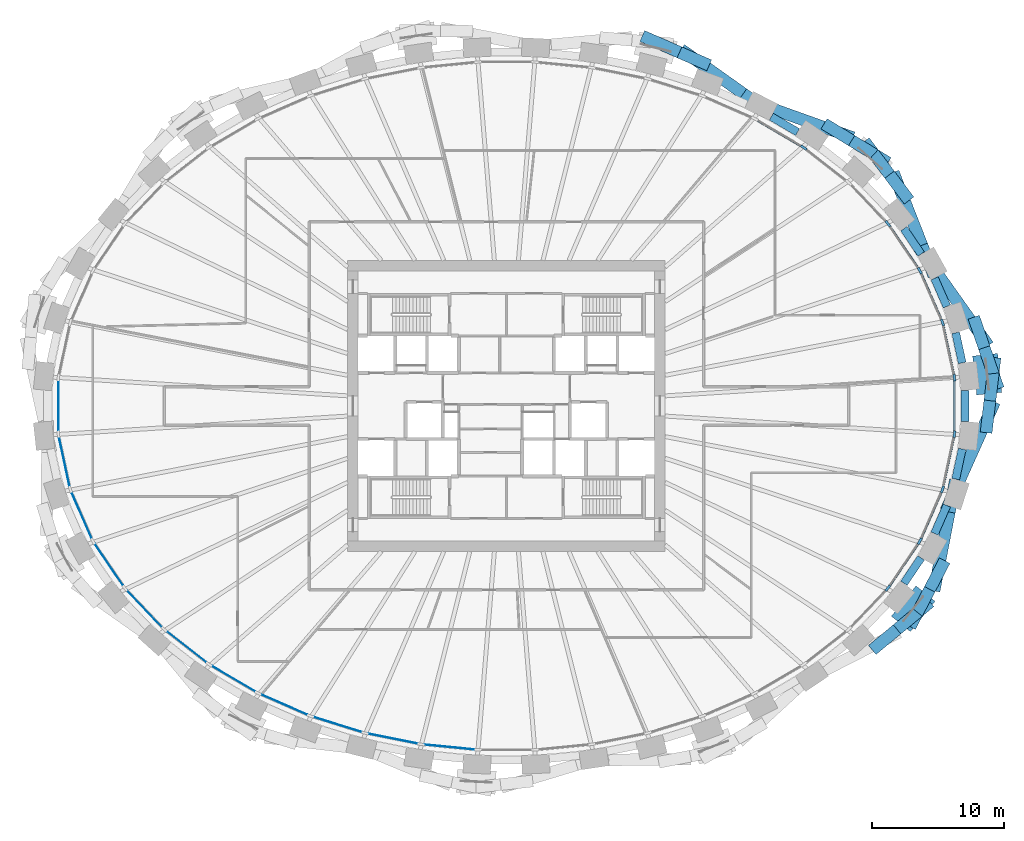
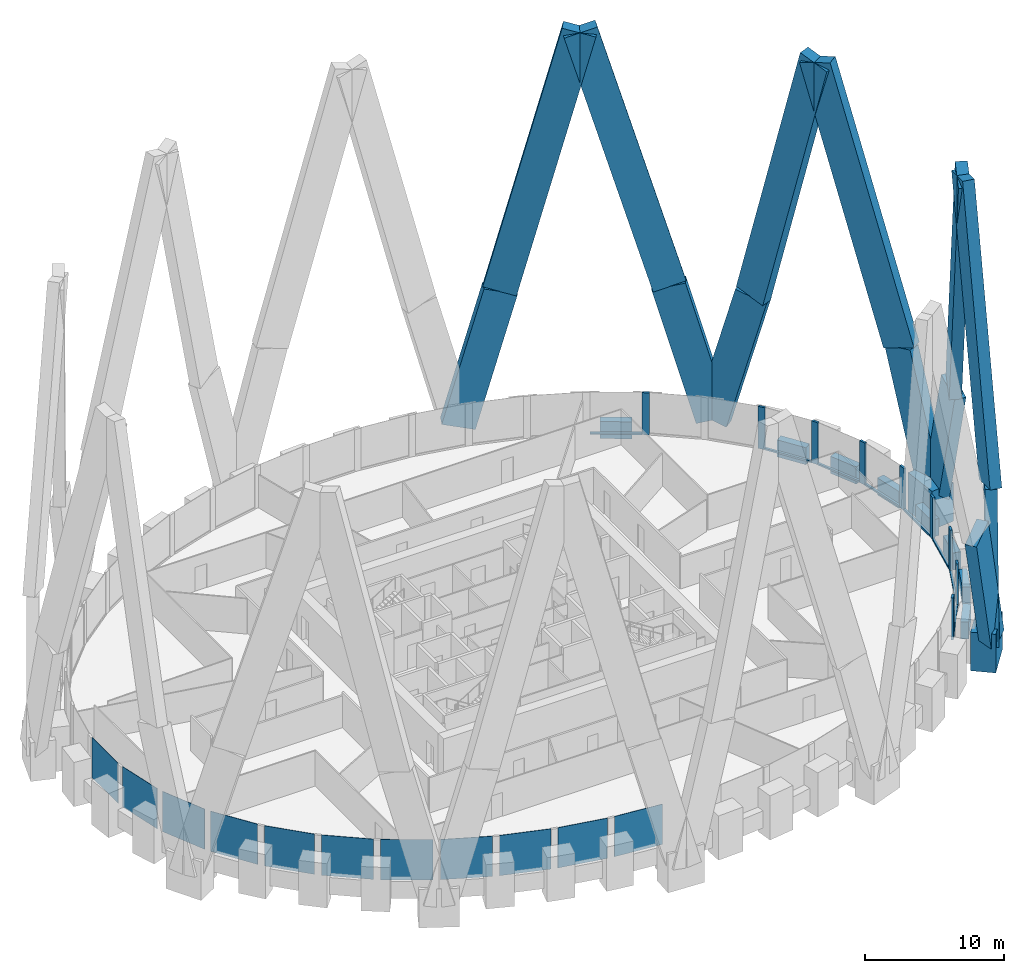
# One storey, part 5 of 12: 32 members, 11 plates, 8 beams, 1 element without a shape of its own.
"""IFC4 building model written with IfcOpenShell, lengths in metres."""

from ifc_helpers import new_model, si_unit, direction, frame, origin, origin_2d, place, context, subcontext, project, spatial, rectangle, extrude, source, transform, mapped, material, layer, layer_set, material_profile, profile_set, type_object, element, aggregate, save


model = new_model("IFC4")

# Units and contexts
model_context = context("Model", 3, precision=1e-05, world=origin(), true_north=direction((0.0, 1.0)))
body_context = subcontext(model_context, "Body", "Model", "MODEL_VIEW")
ifc_project = project(units=[si_unit("LENGTHUNIT", "METRE"), si_unit("AREAUNIT", "SQUARE_METRE"), si_unit("VOLUMEUNIT", "CUBIC_METRE"), si_unit("PLANEANGLEUNIT", "RADIAN"), si_unit("MASSUNIT", "GRAM", prefix="KILO")], contexts=[model_context])

# Site, building, storey
site_placement = place(None, origin())
site = spatial("IfcSite", under=ifc_project, at=site_placement, CompositionType="ELEMENT")
building_placement = place(site_placement, origin())
building = spatial("IfcBuilding", under=site, at=building_placement, Name="Embergate Tower", CompositionType="ELEMENT")
storey_placement = place(building_placement, frame((0.0, 0.0, 222.89990234375)))
storey = spatial("IfcBuildingStorey", under=building, at=storey_placement, Name="L51", CompositionType="ELEMENT", Elevation=222.89990234375)

# Beams
ifc_material_1 = material(Name="Concrete C60", Category="concrete")
ifc_material_profile_1 = material_profile(ifc_material_1, rectangle(XDim=0.60009765625, YDim=1.5, at=origin_2d()), Name="RC 600x1500")
ifc_profile_set_1 = profile_set([ifc_material_profile_1], Name="Concrete C60")
beam_type = type_object("IfcBeamType", Name="Spandrel beam RC 600x1500 C60", PredefinedType="BEAM", material=ifc_profile_set_1)
shared_shape_1 = source(origin(), body_context, "Body", "SweptSolid", [
    extrude(rectangle(XDim=0.60009765625, YDim=1.5, at=origin_2d()), origin(), (0.0, 0.0, 1.0), 2.326171875),
])
for number, where, z_axis, x_axis, name in (
    (1, (34.43701171875, 3.2529296875, 0.0), (-0.210224296762, 0.977653182397, 0.0), (-0.977653182397, -0.210224296762, 0.0), "SPN-L51-00"),
    (2, (33.947998046875, -5.527099609375, 0.0), (0.210224296762, 0.977653182397, 0.0), (-0.977653182397, 0.210224296762, 0.0), "SPN-L51-42"),
):
    element("IfcBeam", number, at=place(storey_placement, frame(where, z_axis=z_axis, x_axis=x_axis)), inside=storey, type_object=beam_type, Name=name, PredefinedType="BEAM", context=body_context, shape_type="MappedRepresentation", body=[
        mapped(shared_shape_1, transform((0.0, 0.0, 0.0))),
    ])
shared_shape_2 = source(origin(), body_context, "Body", "SweptSolid", [
    extrude(rectangle(XDim=0.60009765625, YDim=1.5, at=origin_2d()), origin(), (0.0, 0.0, 1.0), 2.3193359375),
])
for number, where, z_axis, x_axis, name in (
    (3, (33.282958984375, 7.51904296875, 0.0), (-0.401768353021, 0.915741333844, 0.0), (-0.915741333844, -0.401768353021, 0.0), "SPN-L51-01"),
    (4, (32.35107421875, -9.64306640625, 0.0), (0.401768353021, 0.915741333844, 0.0), (-0.915741333844, 0.401768353021, 0.0), "SPN-L51-41"),
):
    element("IfcBeam", number, at=place(storey_placement, frame(where, z_axis=z_axis, x_axis=x_axis)), inside=storey, type_object=beam_type, Name=name, PredefinedType="BEAM", context=body_context, shape_type="MappedRepresentation", body=[
        mapped(shared_shape_2, transform((0.0, 0.0, 0.0))),
    ])
shared_shape_3 = source(origin(), body_context, "Body", "SweptSolid", [
    extrude(rectangle(XDim=0.60009765625, YDim=1.5, at=origin_2d()), origin(), (0.0, 0.0, 1.0), 2.315673828125),
])
for number, where, z_axis, x_axis, name in (
    (5, (31.3349609375, 11.47998046875, 0.0), (-0.562243694996, 0.82697160014, 0.0), (-0.82697160014, -0.562243694996, 0.0), "SPN-L51-02"),
    (6, (30.032958984375, -13.39501953125, 0.0), (0.562243694996, 0.82697160014, 0.0), (-0.82697160014, 0.562243694996, 0.0), "SPN-L51-40"),
):
    element("IfcBeam", number, at=place(storey_placement, frame(where, z_axis=z_axis, x_axis=x_axis)), inside=storey, type_object=beam_type, Name=name, PredefinedType="BEAM", context=body_context, shape_type="MappedRepresentation", body=[
        mapped(shared_shape_3, transform((0.0, 0.0, 0.0))),
    ])
shared_shape_4 = source(origin(), body_context, "Body", "SweptSolid", [
    extrude(rectangle(XDim=0.60009765625, YDim=1.5, at=origin_2d()), origin(), (0.0, 0.0, 1.0), 2.29931640625),
])
beam_1_placement = place(storey_placement, frame((21.9970703125, 20.69189453125, 0.0), z_axis=(-0.86211432003, 0.506713823769, 0.0), x_axis=(-0.506713823769, -0.86211432003, 0.0)))
element("IfcBeam", 7, at=beam_1_placement, inside=storey, type_object=beam_type, Name="SPN-L51-05", PredefinedType="BEAM", context=body_context, shape_type="MappedRepresentation", body=[
    mapped(shared_shape_4, transform((0.0, 0.0, 0.0))),
])
shared_shape_5 = source(origin(), body_context, "Body", "SweptSolid", [
    extrude(rectangle(XDim=0.60009765625, YDim=1.5, at=origin_2d()), origin(), (0.0, 0.0, 1.0), 2.328125),
])
beam_2_placement = place(storey_placement, frame((34.658935546875, -1.1640625, 0.0), z_axis=(0.0, 1.0, 0.0), x_axis=(-1.0, 0.0, 0.0)))
element("IfcBeam", 8, at=beam_2_placement, inside=storey, type_object=beam_type, Name="SPN-L51-43", PredefinedType="BEAM", context=body_context, shape_type="MappedRepresentation", body=[
    mapped(shared_shape_5, transform((0.0, 0.0, 0.0))),
])

# Members
ifc_material_2 = material(Name="Concrete C70", Category="concrete")
ifc_material_profile_2 = material_profile(ifc_material_2, rectangle(XDim=1.89990234375, YDim=2.949951171875, at=origin_2d()), Name="RC 1900x2950")
ifc_profile_set_2 = profile_set([ifc_material_profile_2], Name="Concrete C70")
member_type_1 = type_object("IfcMemberType", Name="Lattice node block RC 1900x2950", PredefinedType="POST", material=ifc_profile_set_2)
shared_shape_6 = source(origin(), body_context, "Body", "SweptSolid", [
    extrude(rectangle(XDim=1.89990234375, YDim=2.949951171875, at=origin_2d()), origin(), (0.0, 0.0, 1.0), 3.400146484375),
])
member_1_placement = place(storey_placement, frame((36.326904296875, 2.39892578125, -1.699951171875), z_axis=(0.0, 0.0, 1.0), x_axis=(0.99428589498, 0.106749983816, 0.0)))
element("IfcMember", 9, at=member_1_placement, inside=storey, type_object=member_type_1, Name="NOD-L51-00", PredefinedType="POST", context=body_context, shape_type="MappedRepresentation", body=[
    mapped(shared_shape_6, transform((0.0, 0.0, 0.0))),
])
ifc_material_profile_3 = material_profile(ifc_material_2, rectangle(XDim=1.85009765625, YDim=2.949951171875, at=origin_2d()), Name="RC 1850x2950")
ifc_profile_set_3 = profile_set([ifc_material_profile_3], Name="Concrete C70")
member_type_2 = type_object("IfcMemberType", Name="Lattice node block RC 1850x2950", PredefinedType="POST", material=ifc_profile_set_3)
shared_shape_7 = source(origin(), body_context, "Body", "SweptSolid", [
    extrude(rectangle(XDim=1.85009765625, YDim=2.949951171875, at=origin_2d()), origin(), (0.0, 0.0, 1.0), 3.400146484375),
])
member_2_placement = place(storey_placement, frame((30.739013671875, -15.322021484375, -1.699951171875), z_axis=(0.0, 0.0, 1.0), x_axis=(0.775925311702, -0.630824786022, 0.0)))
element("IfcMember", 10, at=member_2_placement, inside=storey, type_object=member_type_2, Name="NOD-L51-40", PredefinedType="POST", context=body_context, shape_type="MappedRepresentation", body=[
    mapped(shared_shape_7, transform((0.0, 0.0, 0.0))),
])
ifc_material_profile_4 = material_profile(ifc_material_2, rectangle(XDim=0.89990234375, YDim=2.530029296875, at=origin_2d()), Name="RC 900x2530")
ifc_profile_set_4 = profile_set([ifc_material_profile_4], Name="Concrete C70")
member_type_3 = type_object("IfcMemberType", Name="Lattice diagonal terracotta-faced RC 900x2530", PredefinedType="BRACE", material=ifc_profile_set_4)
shared_shape_8 = source(origin(), body_context, "Body", "SweptSolid", [
    extrude(rectangle(XDim=0.89990234375, YDim=2.530029296875, at=origin_2d()), origin(), (0.0, 0.0, 1.0), 12.15234375),
])
member_3_placement = place(storey_placement, frame((36.777099609375, 2.447021484375, 0.0), z_axis=(-0.087813146652, 0.255584271725, 0.962790491915), x_axis=(-0.945736580067, -0.324934333554, 0.0)))
element("IfcMember", 11, at=member_3_placement, inside=storey, type_object=member_type_3, Name="BRC-L51-00-02-S00", PredefinedType="BRACE", context=body_context, shape_type="MappedRepresentation", body=[
    mapped(shared_shape_8, transform((0.0, 0.0, 0.0))),
])
shared_shape_9 = source(origin(), body_context, "Body", "SweptSolid", [
    extrude(rectangle(XDim=0.89990234375, YDim=2.530029296875, at=origin_2d()), origin(), (0.0, 0.0, 1.0), 24.140380859375),
])
member_4_placement = place(storey_placement, frame((35.7099609375, 5.552978515625, 11.7001953125), z_axis=(-0.159891598837, 0.22547648299, 0.961038517563), x_axis=(-0.815718766085, -0.57844869665, 0.0)))
element("IfcMember", 12, at=member_4_placement, inside=storey, type_object=member_type_3, Name="BRC-L51-00-02-S01", PredefinedType="BRACE", context=body_context, shape_type="MappedRepresentation", body=[
    mapped(shared_shape_9, transform((0.0, 0.0, 0.0))),
])
shared_shape_10 = source(origin(), body_context, "Body", "SweptSolid", [
    extrude(rectangle(XDim=0.89990234375, YDim=2.530029296875, at=origin_2d()), origin(), (0.0, 0.0, 1.0), 12.151123046875),
])
member_5_placement = place(storey_placement, frame((36.777099609375, 2.447021484375, 0.0), z_axis=(-0.031765234738, -0.268045538668, 0.962882422242), x_axis=(0.993051168569, -0.117683374373, 0.0)))
element("IfcMember", 13, at=member_5_placement, inside=storey, type_object=member_type_3, Name="BRC-L51-00-42-S00", PredefinedType="BRACE", context=body_context, shape_type="MappedRepresentation", body=[
    mapped(shared_shape_10, transform((0.0, 0.0, 0.0))),
])
shared_shape_11 = source(origin(), body_context, "Body", "SweptSolid", [
    extrude(rectangle(XDim=0.89990234375, YDim=2.530029296875, at=origin_2d()), origin(), (0.0, 0.0, 1.0), 24.115478515625),
])
member_6_placement = place(storey_placement, frame((36.39111328125, -0.81005859375, 11.7001953125), z_axis=(-0.111595367595, -0.249047087258, 0.962040551255), x_axis=(0.912572818244, -0.408914234776, 0.0)))
element("IfcMember", 14, at=member_6_placement, inside=storey, type_object=member_type_3, Name="BRC-L51-00-42-S01", PredefinedType="BRACE", context=body_context, shape_type="MappedRepresentation", body=[
    mapped(shared_shape_11, transform((0.0, 0.0, 0.0))),
])
shared_shape_12 = source(origin(), body_context, "Body", "SweptSolid", [
    extrude(rectangle(XDim=0.89990234375, YDim=2.530029296875, at=origin_2d()), origin(), (0.0, 0.0, 1.0), 12.115966796875),
])
member_7_placement = place(storey_placement, frame((27.7900390625, 19.013916015625, 0.0), z_axis=(0.156567209861, -0.20724501331, 0.965679146122), x_axis=(0.797900490744, 0.60278918941, 0.0)))
element("IfcMember", 15, at=member_7_placement, inside=storey, type_object=member_type_3, Name="BRC-L51-04-02-S00", PredefinedType="BRACE", context=body_context, shape_type="MappedRepresentation", body=[
    mapped(shared_shape_12, transform((0.0, 0.0, 0.0))),
])
shared_shape_13 = source(origin(), body_context, "Body", "SweptSolid", [
    extrude(rectangle(XDim=0.89990234375, YDim=2.530029296875, at=origin_2d()), origin(), (0.0, 0.0, 1.0), 23.9423828125),
])
member_8_placement = place(storey_placement, frame((29.68701171875, 16.5029296875, 11.7001953125), z_axis=(0.090345141829, -0.230002823827, 0.96898733551), x_axis=(0.930769548519, 0.365606410706, 0.0)))
element("IfcMember", 16, at=member_8_placement, inside=storey, type_object=member_type_3, Name="BRC-L51-04-02-S01", PredefinedType="BRACE", context=body_context, shape_type="MappedRepresentation", body=[
    mapped(shared_shape_13, transform((0.0, 0.0, 0.0))),
])
shared_shape_14 = source(origin(), body_context, "Body", "SweptSolid", [
    extrude(rectangle(XDim=0.89990234375, YDim=2.530029296875, at=origin_2d()), origin(), (0.0, 0.0, 1.0), 12.1337890625),
])
member_9_placement = place(storey_placement, frame((27.7900390625, 19.013916015625, 0.0), z_axis=(-0.226318305778, 0.137726600556, 0.964267290729), x_axis=(-0.519857797899, -0.854252813846, 0.0)))
element("IfcMember", 17, at=member_9_placement, inside=storey, type_object=member_type_3, Name="BRC-L51-04-06-S00", PredefinedType="BRACE", context=body_context, shape_type="MappedRepresentation", body=[
    mapped(shared_shape_14, transform((0.0, 0.0, 0.0))),
])
shared_shape_15 = source(origin(), body_context, "Body", "SweptSolid", [
    extrude(rectangle(XDim=0.89990234375, YDim=2.530029296875, at=origin_2d()), origin(), (0.0, 0.0, 1.0), 24.10107421875),
])
member_10_placement = place(storey_placement, frame((25.0439453125, 20.68505859375, 11.7001953125), z_axis=(-0.255090226601, 0.091158643046, 0.962610553698), x_axis=(-0.336516427688, -0.941677595516, 0.0)))
element("IfcMember", 18, at=member_10_placement, inside=storey, type_object=member_type_3, Name="BRC-L51-04-06-S01", PredefinedType="BRACE", context=body_context, shape_type="MappedRepresentation", body=[
    mapped(shared_shape_15, transform((0.0, 0.0, 0.0))),
])
shared_shape_16 = source(origin(), body_context, "Body", "SweptSolid", [
    extrude(rectangle(XDim=0.89990234375, YDim=2.530029296875, at=origin_2d()), origin(), (0.0, 0.0, 1.0), 12.096435546875),
])
member_11_placement = place(storey_placement, frame((11.387939453125, 27.4599609375, 0.0), z_axis=(0.232545777417, -0.101842214272, 0.967238659689), x_axis=(0.401160789654, 0.916007653267, 0.0)))
element("IfcMember", 19, at=member_11_placement, inside=storey, type_object=member_type_3, Name="BRC-L51-08-06-S00", PredefinedType="BRACE", context=body_context, shape_type="MappedRepresentation", body=[
    mapped(shared_shape_16, transform((0.0, 0.0, 0.0))),
])
shared_shape_17 = source(origin(), body_context, "Body", "SweptSolid", [
    extrude(rectangle(XDim=0.89990234375, YDim=2.530029296875, at=origin_2d()), origin(), (0.0, 0.0, 1.0), 23.905517578125),
])
member_12_placement = place(storey_placement, frame((14.200927734375, 26.22802734375, 11.7001953125), z_axis=(0.196400519101, -0.139965114361, 0.970482664894), x_axis=(0.580356591192, 0.814362466633, 0.0)))
element("IfcMember", 20, at=member_12_placement, inside=storey, type_object=member_type_3, Name="BRC-L51-08-06-S01", PredefinedType="BRACE", context=body_context, shape_type="MappedRepresentation", body=[
    mapped(shared_shape_17, transform((0.0, 0.0, 0.0))),
])
shared_shape_18 = source(origin(), body_context, "Body", "SweptSolid", [
    extrude(rectangle(XDim=0.89990234375, YDim=2.530029296875, at=origin_2d()), origin(), (0.0, 0.0, 1.0), 12.139404296875),
])
member_13_placement = place(storey_placement, frame((31.073974609375, -15.594970703125, 0.0), z_axis=(-0.205357678732, -0.169941473439, 0.96381954711), x_axis=(0.637546096005, -0.770412211397, 0.0)))
element("IfcMember", 21, at=member_13_placement, inside=storey, type_object=member_type_3, Name="BRC-L51-40-38-S00", PredefinedType="BRACE", context=body_context, shape_type="MappedRepresentation", body=[
    mapped(shared_shape_18, transform((0.0, 0.0, 0.0))),
])
shared_shape_19 = source(origin(), body_context, "Body", "SweptSolid", [
    extrude(rectangle(XDim=0.89990234375, YDim=2.530029296875, at=origin_2d()), origin(), (0.0, 0.0, 1.0), 12.12646484375),
])
member_14_placement = place(storey_placement, frame((31.073974609375, -15.594970703125, 0.0), z_axis=(0.121803933796, 0.232877041689, 0.964848218719), x_axis=(-0.886111765626, 0.46347161598, 0.0)))
element("IfcMember", 22, at=member_14_placement, inside=storey, type_object=member_type_3, Name="BRC-L51-40-42-S00", PredefinedType="BRACE", context=body_context, shape_type="MappedRepresentation", body=[
    mapped(shared_shape_19, transform((0.0, 0.0, 0.0))),
])
shared_shape_20 = source(origin(), body_context, "Body", "SweptSolid", [
    extrude(rectangle(XDim=0.89990234375, YDim=2.530029296875, at=origin_2d()), origin(), (0.0, 0.0, 1.0), 23.9794921875),
])
member_15_placement = place(storey_placement, frame((32.551025390625, -12.77099609375, 11.7001953125), z_axis=(0.047912653949, 0.248339450726, 0.967487413254), x_axis=(-0.981892568137, 0.189438603872, 0.0)))
element("IfcMember", 23, at=member_15_placement, inside=storey, type_object=member_type_3, Name="BRC-L51-40-42-S01", PredefinedType="BRACE", context=body_context, shape_type="MappedRepresentation", body=[
    mapped(shared_shape_20, transform((0.0, 0.0, 0.0))),
])

# Curtain wall, members, plates
ifc_material_3 = material(Name="Aluminium and glass", Category="aluminium")
curtain_wall_type = type_object("IfcCurtainWallType", Name="Recessed office glazing", PredefinedType="NOTDEFINED", material=ifc_material_3)
curtain_wall_placement = place(storey_placement, origin())
curtain_wall = element("IfcCurtainWall", 24, at=curtain_wall_placement, inside=storey, type_object=curtain_wall_type, Name="Recessed office glazing ring", ObjectType="RECESSED OFFICE GLAZING", PredefinedType="USERDEFINED")
ifc_material_4 = material(Name="Aluminium, thermally broken", Category="aluminium")
ifc_material_profile_5 = material_profile(ifc_material_4, rectangle(XDim=0.179931640625, YDim=0.52001953125, at=origin_2d()), Name="AL 520x180")
ifc_profile_set_5 = profile_set([ifc_material_profile_5], Name="Aluminium, thermally broken")
member_type_4 = type_object("IfcMemberType", Name="Office mullion", PredefinedType="MULLION", material=ifc_profile_set_5)
shared_shape_21 = source(origin(), body_context, "Body", "SweptSolid", [
    extrude(rectangle(XDim=0.179931640625, YDim=0.52001953125, at=origin_2d()), origin(), (0.0, 0.0, 1.0), 3.7001953125),
])
member_16_placement = place(storey_placement, frame((33.851806640625, 2.13330078125, 0.0), z_axis=(0.0, 0.0, 1.0), x_axis=(-0.994384770038, -0.105824992874, 0.0)))
member_16 = element("IfcMember", 25, at=member_16_placement, type_object=member_type_4, Name="CW mullion 1", PredefinedType="MULLION", context=body_context, shape_type="MappedRepresentation", body=[
    mapped(shared_shape_21, transform((0.0, 0.0, 0.0))),
])
member_17_placement = place(storey_placement, frame((32.953369140625, 6.307373046875, 0.0), z_axis=(0.0, 0.0, 1.0), x_axis=(-0.951497261031, -0.307657215503, 0.0)))
member_17 = element("IfcMember", 26, at=member_17_placement, type_object=member_type_4, Name="CW mullion 2", PredefinedType="MULLION", context=body_context, shape_type="MappedRepresentation", body=[
    mapped(shared_shape_21, transform((0.0, 0.0, 0.0))),
])
member_18_placement = place(storey_placement, frame((31.23583984375, 10.2236328125, 0.0), z_axis=(0.0, 0.0, 1.0), x_axis=(-0.875001050883, -0.484121018914, 0.0)))
member_18 = element("IfcMember", 27, at=member_18_placement, type_object=member_type_4, Name="CW mullion 3", PredefinedType="MULLION", context=body_context, shape_type="MappedRepresentation", body=[
    mapped(shared_shape_21, transform((0.0, 0.0, 0.0))),
])
member_19_placement = place(storey_placement, frame((28.826171875, 13.76708984375, 0.0), z_axis=(0.0, 0.0, 1.0), x_axis=(-0.777872564355, -0.628422050555, 0.0)))
member_19 = element("IfcMember", 28, at=member_19_placement, type_object=member_type_4, Name="CW mullion 4", PredefinedType="MULLION", context=body_context, shape_type="MappedRepresentation", body=[
    mapped(shared_shape_21, transform((0.0, 0.0, 0.0))),
])
member_20_placement = place(storey_placement, frame((22.472412109375, 19.520751953125, 0.0), z_axis=(0.0, 0.0, 1.0), x_axis=(-0.562219061911, -0.826988347211, 0.0)))
member_20 = element("IfcMember", 29, at=member_20_placement, type_object=member_type_4, Name="CW mullion 6", PredefinedType="MULLION", context=body_context, shape_type="MappedRepresentation", body=[
    mapped(shared_shape_21, transform((0.0, 0.0, 0.0))),
])
member_21_placement = place(storey_placement, frame((28.826171875, -13.76708984375, 0.0), z_axis=(0.0, 0.0, 1.0), x_axis=(-0.777872564355, 0.628422050555, 0.0)))
member_21 = element("IfcMember", 30, at=member_21_placement, type_object=member_type_4, Name="CW mullion 41", PredefinedType="MULLION", context=body_context, shape_type="MappedRepresentation", body=[
    mapped(shared_shape_21, transform((0.0, 0.0, 0.0))),
])
member_22_placement = place(storey_placement, frame((31.23583984375, -10.2236328125, 0.0), z_axis=(0.0, 0.0, 1.0), x_axis=(-0.875001050883, 0.484121018914, 0.0)))
member_22 = element("IfcMember", 31, at=member_22_placement, type_object=member_type_4, Name="CW mullion 42", PredefinedType="MULLION", context=body_context, shape_type="MappedRepresentation", body=[
    mapped(shared_shape_21, transform((0.0, 0.0, 0.0))),
])
member_23_placement = place(storey_placement, frame((32.953369140625, -6.307373046875, 0.0), z_axis=(0.0, 0.0, 1.0), x_axis=(-0.951497261031, 0.307657215503, 0.0)))
member_23 = element("IfcMember", 32, at=member_23_placement, type_object=member_type_4, Name="CW mullion 43", PredefinedType="MULLION", context=body_context, shape_type="MappedRepresentation", body=[
    mapped(shared_shape_21, transform((0.0, 0.0, 0.0))),
])
member_24_placement = place(storey_placement, frame((33.851806640625, -2.13330078125, 0.0), z_axis=(0.0, 0.0, 1.0), x_axis=(-0.994384770038, 0.105824992874, 0.0)))
member_24 = element("IfcMember", 33, at=member_24_placement, type_object=member_type_4, Name="CW mullion 44", PredefinedType="MULLION", context=body_context, shape_type="MappedRepresentation", body=[
    mapped(shared_shape_21, transform((0.0, 0.0, 0.0))),
])
ifc_material_profile_6 = material_profile(ifc_material_4, rectangle(XDim=0.179931640625, YDim=0.14990234375, at=origin_2d()), Name="AL 150x180")
ifc_profile_set_6 = profile_set([ifc_material_profile_6], Name="Aluminium, thermally broken")
member_type_5 = type_object("IfcMemberType", Name="Office sill transom", PredefinedType="USERDEFINED", material=ifc_profile_set_6)
shared_shape_22 = source(origin(), body_context, "Body", "SweptSolid", [
    extrude(rectangle(XDim=0.179931640625, YDim=0.14990234375, at=origin_2d()), origin(), (0.0, 0.0, 1.0), 3.74951171875),
])
member_25_placement = place(storey_placement, frame((33.797119140625, 2.3876953125, 0.0751953125), z_axis=(-0.210445024694, 0.977605693305, 0.0), x_axis=(-0.977605693305, -0.210445024694, 0.0)))
member_25 = element("IfcMember", 34, at=member_25_placement, type_object=member_type_5, Name="CW transom 1.1", ObjectType="TRANSOM", PredefinedType="USERDEFINED", context=body_context, shape_type="MappedRepresentation", body=[
    mapped(shared_shape_22, transform((0.0, 0.0, 0.0))),
])
member_26_placement = place(storey_placement, frame((33.008056640625, -6.05322265625, 0.0751953125), z_axis=(0.210445024694, 0.977605693305, 0.0), x_axis=(-0.977605693305, 0.210445024694, 0.0)))
member_26 = element("IfcMember", 35, at=member_26_placement, type_object=member_type_5, Name="CW transom 43.1", ObjectType="TRANSOM", PredefinedType="USERDEFINED", context=body_context, shape_type="MappedRepresentation", body=[
    mapped(shared_shape_22, transform((0.0, 0.0, 0.0))),
])
shared_shape_23 = source(origin(), body_context, "Body", "SweptSolid", [
    extrude(rectangle(XDim=0.179931640625, YDim=0.14990234375, at=origin_2d()), origin(), (0.0, 0.0, 1.0), 3.756591796875),
])
member_27_placement = place(storey_placement, frame((32.848876953125, 6.54541015625, 0.0751953125), z_axis=(-0.401647151286, 0.9157944998, 0.0), x_axis=(-0.9157944998, -0.401647151286, 0.0)))
member_27 = element("IfcMember", 36, at=member_27_placement, type_object=member_type_5, Name="CW transom 2.1", ObjectType="TRANSOM", PredefinedType="USERDEFINED", context=body_context, shape_type="MappedRepresentation", body=[
    mapped(shared_shape_23, transform((0.0, 0.0, 0.0))),
])
member_28_placement = place(storey_placement, frame((31.340087890625, -9.985595703125, 0.0751953125), z_axis=(0.401647151286, 0.9157944998, 0.0), x_axis=(-0.9157944998, 0.401647151286, 0.0)))
member_28 = element("IfcMember", 37, at=member_28_placement, type_object=member_type_5, Name="CW transom 42.1", ObjectType="TRANSOM", PredefinedType="USERDEFINED", context=body_context, shape_type="MappedRepresentation", body=[
    mapped(shared_shape_23, transform((0.0, 0.0, 0.0))),
])
shared_shape_24 = source(origin(), body_context, "Body", "SweptSolid", [
    extrude(rectangle(XDim=0.179931640625, YDim=0.14990234375, at=origin_2d()), origin(), (0.0, 0.0, 1.0), 3.764892578125),
])
member_29_placement = place(storey_placement, frame((31.089599609375, 10.438720703125, 0.0751953125), z_axis=(-0.562338399761, 0.826907204077, 0.0), x_axis=(-0.826907204077, -0.562338399761, 0.0)))
member_29 = element("IfcMember", 38, at=member_29_placement, type_object=member_type_5, Name="CW transom 3.1", ObjectType="TRANSOM", PredefinedType="USERDEFINED", context=body_context, shape_type="MappedRepresentation", body=[
    mapped(shared_shape_24, transform((0.0, 0.0, 0.0))),
])
member_30_placement = place(storey_placement, frame((28.972412109375, -13.552001953125, 0.0751953125), z_axis=(0.562338399761, 0.826907204077, 0.0), x_axis=(-0.826907204077, 0.562338399761, 0.0)))
member_30 = element("IfcMember", 39, at=member_30_placement, type_object=member_type_5, Name="CW transom 41.1", ObjectType="TRANSOM", PredefinedType="USERDEFINED", context=body_context, shape_type="MappedRepresentation", body=[
    mapped(shared_shape_24, transform((0.0, 0.0, 0.0))),
])
shared_shape_25 = source(origin(), body_context, "Body", "SweptSolid", [
    extrude(rectangle(XDim=0.179931640625, YDim=0.14990234375, at=origin_2d()), origin(), (0.0, 0.0, 1.0), 3.786865234375),
])
member_31_placement = place(storey_placement, frame((22.248046875, 19.652587890625, 0.0751953125), z_axis=(-0.862071738168, 0.506786264862, 0.0), x_axis=(-0.506786264862, -0.862071738168, 0.0)))
member_31 = element("IfcMember", 40, at=member_31_placement, type_object=member_type_5, Name="CW transom 6.1", ObjectType="TRANSOM", PredefinedType="USERDEFINED", context=body_context, shape_type="MappedRepresentation", body=[
    mapped(shared_shape_25, transform((0.0, 0.0, 0.0))),
])
shared_shape_26 = source(origin(), body_context, "Body", "SweptSolid", [
    extrude(rectangle(XDim=0.179931640625, YDim=0.14990234375, at=origin_2d()), origin(), (0.0, 0.0, 1.0), 3.74658203125),
])
member_32_placement = place(storey_placement, frame((33.851806640625, -1.873291015625, 0.0751953125), z_axis=(0.0, 1.0, 0.0), x_axis=(-1.0, 0.0, 0.0)))
member_32 = element("IfcMember", 41, at=member_32_placement, type_object=member_type_5, Name="CW transom 44.1", ObjectType="TRANSOM", PredefinedType="USERDEFINED", context=body_context, shape_type="MappedRepresentation", body=[
    mapped(shared_shape_26, transform((0.0, 0.0, 0.0))),
])
ifc_material_5 = material(Name="Triple glazing, low-emissivity coating", Category="glass")
ifc_layer = layer(ifc_material_5, 0.035888671875)
ifc_layer_set = layer_set([ifc_layer], Name="Triple glazing, low-emissivity coating")
plate_type = type_object("IfcPlateType", Name="Office glazing unit", PredefinedType="CURTAIN_PANEL", material=ifc_layer_set)
shared_shape_27 = source(origin(), body_context, "Body", "SweptSolid", [
    extrude(rectangle(XDim=3.74951171875, YDim=0.035888671875, at=origin_2d()), origin(), (0.0, 0.0, 1.0), 3.550048828125),
])
plate_1_placement = place(storey_placement, frame((-33.402587890625, -4.220458984375, 0.14990234375), z_axis=(0.0, 0.0, 1.0), x_axis=(0.210396684915, -0.977616097953, 0.0)))
plate_1 = element("IfcPlate", 42, at=plate_1_placement, type_object=plate_type, Name="CW panel 23.1", PredefinedType="CURTAIN_PANEL", context=body_context, shape_type="MappedRepresentation", body=[
    mapped(shared_shape_27, transform((0.0, 0.0, 0.0))),
])
shared_shape_28 = source(origin(), body_context, "Body", "SweptSolid", [
    extrude(rectangle(XDim=3.75634765625, YDim=0.035888671875, at=origin_2d()), origin(), (0.0, 0.0, 1.0), 3.550048828125),
])
plate_2_placement = place(storey_placement, frame((-32.094482421875, -8.265625, 0.14990234375), z_axis=(0.0, 0.0, 1.0), x_axis=(0.401648904437, -0.915793730905, 0.0)))
plate_2 = element("IfcPlate", 43, at=plate_2_placement, type_object=plate_type, Name="CW panel 24.1", PredefinedType="CURTAIN_PANEL", context=body_context, shape_type="MappedRepresentation", body=[
    mapped(shared_shape_28, transform((0.0, 0.0, 0.0))),
])
shared_shape_29 = source(origin(), body_context, "Body", "SweptSolid", [
    extrude(rectangle(XDim=3.76513671875, YDim=0.035888671875, at=origin_2d()), origin(), (0.0, 0.0, 1.0), 3.550048828125),
])
plate_3_placement = place(storey_placement, frame((-30.031005859375, -11.995361328125, 0.14990234375), z_axis=(0.0, 0.0, 1.0), x_axis=(0.562338855469, -0.826906894172, 0.0)))
plate_3 = element("IfcPlate", 44, at=plate_3_placement, type_object=plate_type, Name="CW panel 25.1", PredefinedType="CURTAIN_PANEL", context=body_context, shape_type="MappedRepresentation", body=[
    mapped(shared_shape_29, transform((0.0, 0.0, 0.0))),
])
shared_shape_30 = source(origin(), body_context, "Body", "SweptSolid", [
    extrude(rectangle(XDim=3.773681640625, YDim=0.035888671875, at=origin_2d()), origin(), (0.0, 0.0, 1.0), 3.550048828125),
])
plate_4_placement = place(storey_placement, frame((-27.344482421875, -15.32080078125, 0.14990234375), z_axis=(0.0, 0.0, 1.0), x_axis=(0.690129995266, -0.723685421737, 0.0)))
plate_4 = element("IfcPlate", 45, at=plate_4_placement, type_object=plate_type, Name="CW panel 26.1", PredefinedType="CURTAIN_PANEL", context=body_context, shape_type="MappedRepresentation", body=[
    mapped(shared_shape_30, transform((0.0, 0.0, 0.0))),
])
shared_shape_31 = source(origin(), body_context, "Body", "SweptSolid", [
    extrude(rectangle(XDim=3.781005859375, YDim=0.035888671875, at=origin_2d()), origin(), (0.0, 0.0, 1.0), 3.550048828125),
])
plate_5_placement = place(storey_placement, frame((-24.16748046875, -18.197509765625, 0.14990234375), z_axis=(0.0, 0.0, 1.0), x_axis=(0.788316897722, -0.615269427784, 0.0)))
plate_5 = element("IfcPlate", 46, at=plate_5_placement, type_object=plate_type, Name="CW panel 27.1", PredefinedType="CURTAIN_PANEL", context=body_context, shape_type="MappedRepresentation", body=[
    mapped(shared_shape_31, transform((0.0, 0.0, 0.0))),
])
shared_shape_32 = source(origin(), body_context, "Body", "SweptSolid", [
    extrude(rectangle(XDim=3.787109375, YDim=0.035888671875, at=origin_2d()), origin(), (0.0, 0.0, 1.0), 3.550048828125),
])
plate_6_placement = place(storey_placement, frame((-20.61572265625, -20.6123046875, 0.14990234375), z_axis=(0.0, 0.0, 1.0), x_axis=(0.862050514108, -0.506822366443, 0.0)))
plate_6 = element("IfcPlate", 47, at=plate_6_placement, type_object=plate_type, Name="CW panel 28.1", PredefinedType="CURTAIN_PANEL", context=body_context, shape_type="MappedRepresentation", body=[
    mapped(shared_shape_32, transform((0.0, 0.0, 0.0))),
])
shared_shape_33 = source(origin(), body_context, "Body", "SweptSolid", [
    extrude(rectangle(XDim=3.79150390625, YDim=0.035888671875, at=origin_2d()), origin(), (0.0, 0.0, 1.0), 3.550048828125),
])
plate_7_placement = place(storey_placement, frame((-16.7841796875, -22.5673828125, 0.14990234375), z_axis=(0.0, 0.0, 1.0), x_axis=(0.91623411399, -0.400643293168, 0.0)))
plate_7 = element("IfcPlate", 48, at=plate_7_placement, type_object=plate_type, Name="CW panel 29.1", PredefinedType="CURTAIN_PANEL", context=body_context, shape_type="MappedRepresentation", body=[
    mapped(shared_shape_33, transform((0.0, 0.0, 0.0))),
])
shared_shape_34 = source(origin(), body_context, "Body", "SweptSolid", [
    extrude(rectangle(XDim=3.794921875, YDim=0.035888671875, at=origin_2d()), origin(), (0.0, 0.0, 1.0), 3.550048828125),
])
plate_8_placement = place(storey_placement, frame((-12.749267578125, -24.072509765625, 0.14990234375), z_axis=(0.0, 0.0, 1.0), x_axis=(0.954770660302, -0.297343212847, 0.0)))
plate_8 = element("IfcPlate", 49, at=plate_8_placement, type_object=plate_type, Name="CW panel 30.1", PredefinedType="CURTAIN_PANEL", context=body_context, shape_type="MappedRepresentation", body=[
    mapped(shared_shape_34, transform((0.0, 0.0, 0.0))),
])
shared_shape_35 = source(origin(), body_context, "Body", "SweptSolid", [
    extrude(rectangle(XDim=3.796875, YDim=0.035888671875, at=origin_2d()), origin(), (0.0, 0.0, 1.0), 3.550048828125),
])
plate_9_placement = place(storey_placement, frame((-8.572998046875, -25.138427734375, 0.14990234375), z_axis=(0.0, 0.0, 1.0), x_axis=(0.980475221003, -0.196642673395, 0.0)))
plate_9 = element("IfcPlate", 50, at=plate_9_placement, type_object=plate_type, Name="CW panel 31.1", PredefinedType="CURTAIN_PANEL", context=body_context, shape_type="MappedRepresentation", body=[
    mapped(shared_shape_35, transform((0.0, 0.0, 0.0))),
])
shared_shape_36 = source(origin(), body_context, "Body", "SweptSolid", [
    extrude(rectangle(XDim=3.798095703125, YDim=0.035888671875, at=origin_2d()), origin(), (0.0, 0.0, 1.0), 3.550048828125),
])
plate_10_placement = place(storey_placement, frame((-4.30810546875, -25.774169921875, 0.14990234375), z_axis=(0.0, 0.0, 1.0), x_axis=(0.995203014042, -0.097831287645, 0.0)))
plate_10 = element("IfcPlate", 51, at=plate_10_placement, type_object=plate_type, Name="CW panel 32.1", PredefinedType="CURTAIN_PANEL", context=body_context, shape_type="MappedRepresentation", body=[
    mapped(shared_shape_36, transform((0.0, 0.0, 0.0))),
])
shared_shape_37 = source(origin(), body_context, "Body", "SweptSolid", [
    extrude(rectangle(XDim=3.746826171875, YDim=0.035888671875, at=origin_2d()), origin(), (0.0, 0.0, 1.0), 3.550048828125),
])
plate_11_placement = place(storey_placement, frame((-33.851806640625, 0.0, 0.14990234375), z_axis=(0.0, 0.0, 1.0), x_axis=(0.0, -1.0, 0.0)))
plate_11 = element("IfcPlate", 52, at=plate_11_placement, type_object=plate_type, Name="CW panel 22.1", PredefinedType="CURTAIN_PANEL", context=body_context, shape_type="MappedRepresentation", body=[
    mapped(shared_shape_37, transform((0.0, 0.0, 0.0))),
])
aggregate(curtain_wall, [member_16, member_17, member_18, member_19, member_20, member_21, member_22, member_23, member_24, member_25, member_27, member_29, member_31, plate_11, plate_1, plate_2, plate_3, plate_4, plate_5, plate_6, plate_7, plate_8, plate_9, plate_10, member_30, member_28, member_26, member_32])

save(model, "model.ifc")
